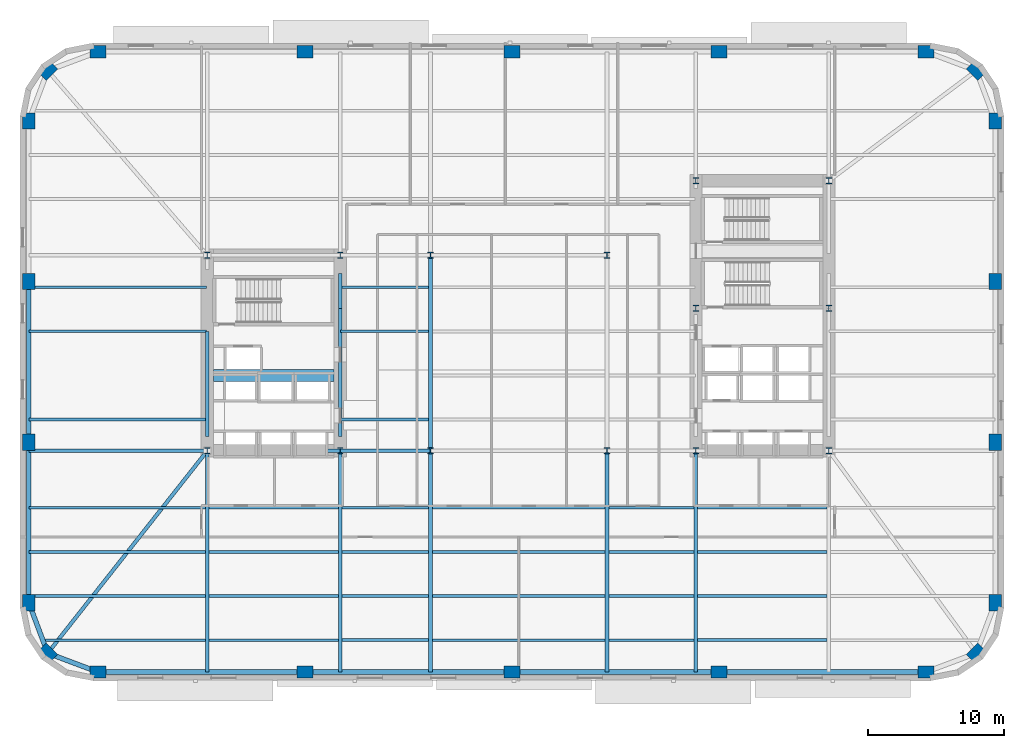
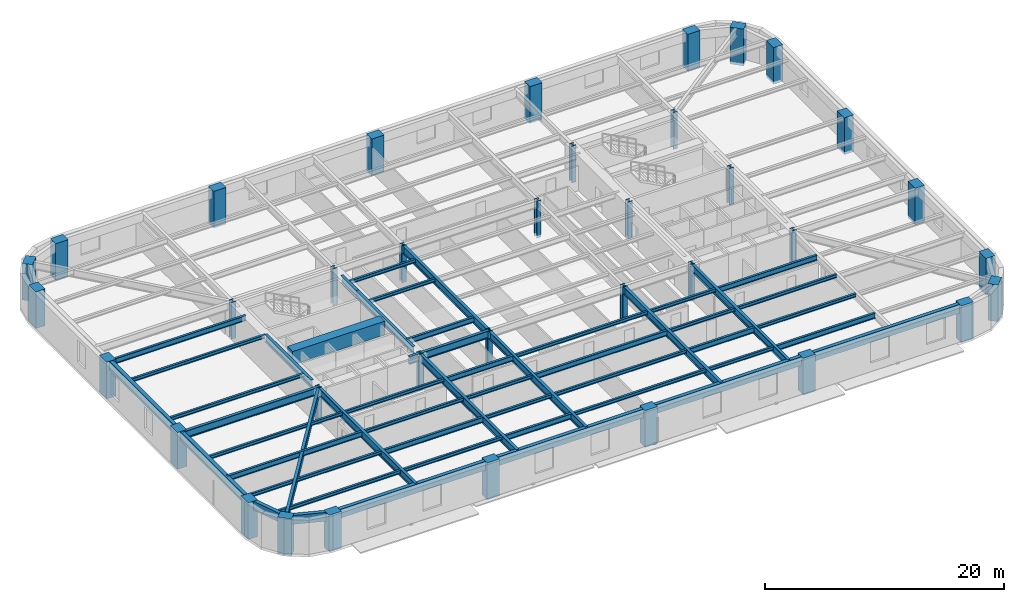
# One storey, part 1 of 14: 51 beams, 36 columns.
"""IFC4 building model written with IfcOpenShell, lengths in metres."""

from ifc_helpers import new_model, si_unit, direction, frame, origin, origin_2d, place, context, subcontext, project, spatial, rectangle, hollow_rectangle, i_section, extrude, material, material_profile, profile_set, type_object, element, save


model = new_model("IFC4")

# Units and contexts
model_context = context("Model", 3, precision=1e-05, world=origin(), true_north=direction((0.0, 1.0)))
body_context = subcontext(model_context, "Body", "Model", "MODEL_VIEW")
ifc_project = project(units=[si_unit("LENGTHUNIT", "METRE"), si_unit("AREAUNIT", "SQUARE_METRE"), si_unit("VOLUMEUNIT", "CUBIC_METRE"), si_unit("PLANEANGLEUNIT", "RADIAN"), si_unit("MASSUNIT", "GRAM", prefix="KILO")], contexts=[model_context])

# Site, building, storey
site_placement = place(None, origin())
site = spatial("IfcSite", under=ifc_project, at=site_placement, CompositionType="ELEMENT")
building_placement = place(site_placement, origin())
building = spatial("IfcBuilding", under=site, at=building_placement, Name="Kolvaren Arena Tower", CompositionType="ELEMENT")
storey_placement = place(building_placement, frame((0.0, 0.0, 75.75)))
storey = spatial("IfcBuildingStorey", under=building, at=storey_placement, Name="L16", CompositionType="ELEMENT", Elevation=75.75)

# Columns
ifc_material_1 = material(Name="Precast concrete C70/85", Category="concrete")
ifc_material_profile_1 = material_profile(ifc_material_1, rectangle(XDim=1.199951171875, YDim=0.89990234375, at=origin_2d()), Name="RC-1200x900")
ifc_profile_set_1 = profile_set([ifc_material_profile_1], Name="Precast concrete C70/85")
column_type_1 = type_object("IfcColumnType", Name="EXCOL-Z1", PredefinedType="COLUMN", material=ifc_profile_set_1)
for number, where, z_axis, x_axis, name in (
    (1, (6.5, 3.14990234375, -0.27001953125), (0.0, 0.0, 1.0), (1.0, 0.0, 0.0), "Exoskeleton Perimeter Column 01 (L16)"),
    (2, (21.75, 3.14990234375, -0.27001953125), (0.0, 0.0, 1.0), (1.0, 0.0, 0.0), "Exoskeleton Perimeter Column 02 (L16)"),
    (3, (37.0, 3.14990234375, -0.27001953125), (0.0, 0.0, 1.0), (1.0, 0.0, 0.0), "Exoskeleton Perimeter Column 03 (L16)"),
    (4, (52.25, 3.14990234375, -0.27001953125), (0.0, 0.0, 1.0), (1.0, 0.0, 0.0), "Exoskeleton Perimeter Column 04 (L16)"),
    (5, (67.5, 3.14990234375, -0.27001953125), (0.0, 0.0, 1.0), (1.0, 0.0, 0.0), "Exoskeleton Perimeter Column 05 (L16)"),
    (6, (71.208740234375, 4.541259765625, -0.27001953125), (0.0, 0.0, 1.0), (0.707106781187, 0.707106781187, 0.0), "Exoskeleton Perimeter Column 06 (L16)"),
    (7, (72.60009765625, 8.25, -0.27001953125), (0.0, 0.0, 1.0), (0.0, 1.0, 0.0), "Exoskeleton Perimeter Column 07 (L16)"),
    (8, (72.60009765625, 20.083251953125, -0.27001953125), (0.0, 0.0, 1.0), (0.0, 1.0, 0.0), "Exoskeleton Perimeter Column 08 (L16)"),
    (9, (72.60009765625, 31.916748046875, -0.27001953125), (0.0, 0.0, 1.0), (0.0, 1.0, 0.0), "Exoskeleton Perimeter Column 09 (L16)"),
    (10, (72.60009765625, 43.75, -0.27001953125), (0.0, 0.0, 1.0), (0.0, 1.0, 0.0), "Exoskeleton Perimeter Column 10 (L16)"),
    (11, (71.208740234375, 47.458740234375, -0.27001953125), (0.0, 0.0, 1.0), (-0.707106781187, 0.707106781187, 0.0), "Exoskeleton Perimeter Column 11 (L16)"),
    (12, (67.5, 48.85009765625, -0.27001953125), (0.0, 0.0, 1.0), (1.0, 0.0, 0.0), "Exoskeleton Perimeter Column 12 (L16)"),
    (13, (52.25, 48.85009765625, -0.27001953125), (0.0, 0.0, 1.0), (1.0, 0.0, 0.0), "Exoskeleton Perimeter Column 13 (L16)"),
    (14, (37.0, 48.85009765625, -0.27001953125), (0.0, 0.0, 1.0), (1.0, 0.0, 0.0), "Exoskeleton Perimeter Column 14 (L16)"),
    (15, (21.75, 48.85009765625, -0.27001953125), (0.0, 0.0, 1.0), (1.0, 0.0, 0.0), "Exoskeleton Perimeter Column 15 (L16)"),
    (16, (6.5, 48.85009765625, -0.27001953125), (0.0, 0.0, 1.0), (1.0, 0.0, 0.0), "Exoskeleton Perimeter Column 16 (L16)"),
    (17, (2.791259765625, 47.458740234375, -0.27001953125), (0.0, 0.0, 1.0), (0.707106781187, 0.707106781187, 0.0), "Exoskeleton Perimeter Column 17 (L16)"),
    (18, (1.39990234375, 43.75, -0.27001953125), (0.0, 0.0, 1.0), (0.0, 1.0, 0.0), "Exoskeleton Perimeter Column 18 (L16)"),
    (19, (1.39990234375, 31.916748046875, -0.27001953125), (0.0, 0.0, 1.0), (0.0, 1.0, 0.0), "Exoskeleton Perimeter Column 19 (L16)"),
    (20, (1.39990234375, 20.083251953125, -0.27001953125), (0.0, 0.0, 1.0), (0.0, 1.0, 0.0), "Exoskeleton Perimeter Column 20 (L16)"),
    (21, (1.39990234375, 8.25, -0.27001953125), (0.0, 0.0, 1.0), (0.0, 1.0, 0.0), "Exoskeleton Perimeter Column 21 (L16)"),
    (22, (2.791259765625, 4.541259765625, -0.27001953125), (0.0, 0.0, 1.0), (-0.707106781187, 0.707106781187, 0.0), "Exoskeleton Perimeter Column 22 (L16)"),
):
    element("IfcColumn", number, at=place(storey_placement, frame(where, z_axis=z_axis, x_axis=x_axis)), inside=storey, type_object=column_type_1, Name=name, PredefinedType="COLUMN", context=body_context, shape_type="SweptSolid", body=[
        extrude(rectangle(XDim=1.199951171875, YDim=0.89990234375, at=origin_2d()), origin(), (0.0, 0.0, 1.0), 3.75),
    ])
ifc_material_2 = material(Name="Steel ASTM A913 Grade 65", Category="steel")
ifc_material_profile_2 = material_profile(ifc_material_2, i_section(OverallWidth=0.424072265625, OverallDepth=0.47412109375, WebThickness=0.047607421875, FlangeThickness=0.076904296875, FilletRadius=0.02001953125, at=origin_2d()), Name="W360x634")
ifc_profile_set_2 = profile_set([ifc_material_profile_2], Name="Steel ASTM A913 Grade 65")
column_type_2 = type_object("IfcColumnType", Name="SCOL-Z1", PredefinedType="COLUMN", material=ifc_profile_set_2)
for number, where, z_axis, x_axis, name in (
    (23, (14.550048828125, 19.449951171875, -0.27001953125), (0.0, 0.0, 1.0), (1.0, 0.0, 0.0), "Core Boundary Column WC-SW (L16)"),
    (24, (24.35009765625, 19.449951171875, -0.27001953125), (0.0, 0.0, 1.0), (1.0, 0.0, 0.0), "Core Boundary Column WC-SE (L16)"),
    (25, (14.550048828125, 33.85009765625, -0.27001953125), (0.0, 0.0, 1.0), (1.0, 0.0, 0.0), "Core Boundary Column WC-NW (L16)"),
    (26, (24.35009765625, 33.85009765625, -0.27001953125), (0.0, 0.0, 1.0), (1.0, 0.0, 0.0), "Core Boundary Column WC-NE (L16)"),
    (27, (50.550048828125, 19.449951171875, -0.27001953125), (0.0, 0.0, 1.0), (1.0, 0.0, 0.0), "Core Boundary Column EC-SW (L16)"),
    (28, (60.35009765625, 19.449951171875, -0.27001953125), (0.0, 0.0, 1.0), (1.0, 0.0, 0.0), "Core Boundary Column EC-SE (L16)"),
    (29, (50.550048828125, 29.949951171875, -0.27001953125), (0.0, 0.0, 1.0), (1.0, 0.0, 0.0), "Core Boundary Column EC-MW (L16)"),
    (30, (60.35009765625, 29.949951171875, -0.27001953125), (0.0, 0.0, 1.0), (1.0, 0.0, 0.0), "Core Boundary Column EC-ME (L16)"),
    (31, (50.550048828125, 39.35009765625, -0.27001953125), (0.0, 0.0, 1.0), (1.0, 0.0, 0.0), "Core Boundary Column EC-NW (L16)"),
    (32, (60.35009765625, 39.35009765625, -0.27001953125), (0.0, 0.0, 1.0), (1.0, 0.0, 0.0), "Core Boundary Column EC-NE (L16)"),
    (33, (31.0, 19.449951171875, -0.27001953125), (0.0, 0.0, 1.0), (1.0, 0.0, 0.0), "Interior Gravity Column TC-SW (L16)"),
    (34, (44.0, 19.449951171875, -0.27001953125), (0.0, 0.0, 1.0), (1.0, 0.0, 0.0), "Interior Gravity Column TC-SE (L16)"),
    (35, (31.0, 33.85009765625, -0.27001953125), (0.0, 0.0, 1.0), (1.0, 0.0, 0.0), "Interior Gravity Column TC-NW (L16)"),
    (36, (44.0, 33.85009765625, -0.27001953125), (0.0, 0.0, 1.0), (1.0, 0.0, 0.0), "Interior Gravity Column TC-NE (L16)"),
):
    element("IfcColumn", number, at=place(storey_placement, frame(where, z_axis=z_axis, x_axis=x_axis)), inside=storey, type_object=column_type_2, Name=name, PredefinedType="COLUMN", context=body_context, shape_type="SweptSolid", body=[
        extrude(i_section(OverallWidth=0.424072265625, OverallDepth=0.47412109375, WebThickness=0.047607421875, FlangeThickness=0.076904296875, FilletRadius=0.02001953125, at=origin_2d()), origin(), (0.0, 0.0, 1.0), 3.75),
    ])

# Beams
ifc_material_3 = material(Name="Steel CSA G40.21 350W", Category="steel")
ifc_material_profile_3 = material_profile(ifc_material_3, i_section(OverallWidth=0.2119140625, OverallDepth=0.54296875, WebThickness=0.01318359375, FlangeThickness=0.0244140625, FilletRadius=0.013916015625, at=origin_2d()), Name="W530x150")
ifc_profile_set_3 = profile_set([ifc_material_profile_3], Name="Steel CSA G40.21 350W")
beam_type_1 = type_object("IfcBeamType", Name="BEAM-F1", PredefinedType="BEAM", material=ifc_profile_set_3)
beam_1_placement = place(storey_placement, frame((24.485107421875, 5.5, 3.20849609375), z_axis=(1.0, 0.0, 0.0), x_axis=(0.0, 1.0, 0.0)))
element("IfcBeam", 37, at=beam_1_placement, inside=storey, type_object=beam_type_1, Name="Composite Floor Beam (L16)", PredefinedType="BEAM", context=body_context, shape_type="SweptSolid", body=[
    extrude(i_section(OverallWidth=0.2119140625, OverallDepth=0.54296875, WebThickness=0.01318359375, FlangeThickness=0.0244140625, FilletRadius=0.013916015625, at=origin_2d()), origin(), (0.0, 0.0, 1.0), 6.3798828125),
])
for number, where, z_axis, x_axis, name in (
    (38, (50.68505859375, 5.5, 3.20849609375), (1.0, 0.0, 0.0), (0.0, 1.0, 0.0), "Composite Floor Beam (L16)"),
    (39, (14.68505859375, 8.75, 3.20849609375), (1.0, 0.0, 0.0), (0.0, 1.0, 0.0), "Composite Floor Beam (L16)"),
):
    element("IfcBeam", number, at=place(storey_placement, frame(where, z_axis=z_axis, x_axis=x_axis)), inside=storey, type_object=beam_type_1, Name=name, PredefinedType="BEAM", context=body_context, shape_type="SweptSolid", body=[
        extrude(i_section(OverallWidth=0.2119140625, OverallDepth=0.54296875, WebThickness=0.01318359375, FlangeThickness=0.0244140625, FilletRadius=0.013916015625, at=origin_2d()), origin(), (0.0, 0.0, 1.0), 9.530029296875),
    ])
beam_2_placement = place(storey_placement, frame((44.135009765625, 8.75, 3.20849609375), z_axis=(1.0, 0.0, 0.0), x_axis=(0.0, 1.0, 0.0)))
element("IfcBeam", 40, at=beam_2_placement, inside=storey, type_object=beam_type_1, Name="Composite Floor Beam (L16)", PredefinedType="BEAM", context=body_context, shape_type="SweptSolid", body=[
    extrude(i_section(OverallWidth=0.2119140625, OverallDepth=0.54296875, WebThickness=0.01318359375, FlangeThickness=0.0244140625, FilletRadius=0.013916015625, at=origin_2d()), origin(), (0.0, 0.0, 1.0), 6.280029296875),
])
beam_3_placement = place(storey_placement, frame((1.39990234375, 12.0, 3.20849609375), z_axis=(1.0, 0.0, 0.0), x_axis=(0.0, 1.0, 0.0)))
element("IfcBeam", 41, at=beam_3_placement, inside=storey, type_object=beam_type_1, Name="Composite Floor Beam (L16)", PredefinedType="BEAM", context=body_context, shape_type="SweptSolid", body=[
    extrude(i_section(OverallWidth=0.2119140625, OverallDepth=0.54296875, WebThickness=0.01318359375, FlangeThickness=0.0244140625, FilletRadius=0.013916015625, at=origin_2d()), origin(), (0.0, 0.0, 1.0), 13.01513671875),
])
beam_4_placement = place(storey_placement, frame((31.135009765625, 12.0, 3.20849609375), z_axis=(1.0, 0.0, 0.0), x_axis=(0.0, 1.0, 0.0)))
element("IfcBeam", 42, at=beam_4_placement, inside=storey, type_object=beam_type_1, Name="Composite Floor Beam (L16)", PredefinedType="BEAM", context=body_context, shape_type="SweptSolid", body=[
    extrude(i_section(OverallWidth=0.2119140625, OverallDepth=0.54296875, WebThickness=0.01318359375, FlangeThickness=0.0244140625, FilletRadius=0.013916015625, at=origin_2d()), origin(), (0.0, 0.0, 1.0), 12.72998046875),
])
beam_5_placement = place(storey_placement, frame((24.485107421875, 15.25, 3.20849609375), z_axis=(1.0, 0.0, 0.0), x_axis=(0.0, 1.0, 0.0)))
element("IfcBeam", 43, at=beam_5_placement, inside=storey, type_object=beam_type_1, Name="Composite Floor Beam (L16)", PredefinedType="BEAM", context=body_context, shape_type="SweptSolid", body=[
    extrude(i_section(OverallWidth=0.2119140625, OverallDepth=0.54296875, WebThickness=0.01318359375, FlangeThickness=0.0244140625, FilletRadius=0.013916015625, at=origin_2d()), origin(), (0.0, 0.0, 1.0), 6.3798828125),
])
beam_6_placement = place(storey_placement, frame((50.68505859375, 15.25, 3.20849609375), z_axis=(1.0, 0.0, 0.0), x_axis=(0.0, 1.0, 0.0)))
element("IfcBeam", 44, at=beam_6_placement, inside=storey, type_object=beam_type_1, Name="Composite Floor Beam (L16)", PredefinedType="BEAM", context=body_context, shape_type="SweptSolid", body=[
    extrude(i_section(OverallWidth=0.2119140625, OverallDepth=0.54296875, WebThickness=0.01318359375, FlangeThickness=0.0244140625, FilletRadius=0.013916015625, at=origin_2d()), origin(), (0.0, 0.0, 1.0), 9.530029296875),
])
beam_7_placement = place(storey_placement, frame((24.3701171875, 21.75, 3.20849609375), z_axis=(1.0, 0.0, 0.0), x_axis=(0.0, 1.0, 0.0)))
element("IfcBeam", 45, at=beam_7_placement, inside=storey, type_object=beam_type_1, Name="Composite Floor Beam (L16)", PredefinedType="BEAM", context=body_context, shape_type="SweptSolid", body=[
    extrude(i_section(OverallWidth=0.2119140625, OverallDepth=0.54296875, WebThickness=0.01318359375, FlangeThickness=0.0244140625, FilletRadius=0.013916015625, at=origin_2d()), origin(), (0.0, 0.0, 1.0), 6.494873046875),
])
beam_8_placement = place(storey_placement, frame((1.39990234375, 31.5, 3.20849609375), z_axis=(1.0, 0.0, 0.0), x_axis=(0.0, 1.0, 0.0)))
element("IfcBeam", 46, at=beam_8_placement, inside=storey, type_object=beam_type_1, Name="Composite Floor Beam (L16)", PredefinedType="BEAM", context=body_context, shape_type="SweptSolid", body=[
    extrude(i_section(OverallWidth=0.2119140625, OverallDepth=0.54296875, WebThickness=0.01318359375, FlangeThickness=0.0244140625, FilletRadius=0.013916015625, at=origin_2d()), origin(), (0.0, 0.0, 1.0), 13.080078125),
])
ifc_material_4 = material(Name="Concrete 75 MPa", Category="concrete")
ifc_material_profile_4 = material_profile(ifc_material_4, rectangle(XDim=0.89990234375, YDim=1.39990234375, at=origin_2d()), Name="RC-900x1400")
ifc_profile_set_4 = profile_set([ifc_material_profile_4], Name="Concrete 75 MPa")
beam_type_2 = type_object("IfcBeamType", Name="CB-CORE-1", PredefinedType="BEAM", material=ifc_profile_set_4)
beam_9_placement = place(storey_placement, frame((15.0, 25.0, 3.050048828125), z_axis=(1.0, 0.0, 0.0), x_axis=(0.0, 1.0, 0.0)))
element("IfcBeam", 47, at=beam_9_placement, inside=storey, type_object=beam_type_2, Name="West Core Coupling Beam (L16)", PredefinedType="BEAM", context=body_context, shape_type="SweptSolid", body=[
    extrude(rectangle(XDim=0.89990234375, YDim=1.39990234375, at=origin_2d()), origin(), (0.0, 0.0, 1.0), 8.89990234375),
])
ifc_material_profile_5 = material_profile(ifc_material_3, i_section(OverallWidth=0.27001953125, OverallDepth=0.77294921875, WebThickness=0.019287109375, FlangeThickness=0.033447265625, FilletRadius=0.01806640625, at=origin_2d()), Name="W760x257")
ifc_profile_set_5 = profile_set([ifc_material_profile_5], Name="Steel CSA G40.21 350W")
beam_type_3 = type_object("IfcBeamType", Name="GIRD-T1", PredefinedType="BEAM", material=ifc_profile_set_5)
beam_10_placement = place(storey_placement, frame((2.791259765625, 4.541259765625, 3.093505859375), z_axis=(0.61927986086, 0.785170334343, 0.0), x_axis=(-0.785170334343, 0.61927986086, 0.0)))
element("IfcBeam", 48, at=beam_10_placement, inside=storey, type_object=beam_type_3, Name="Corner Diagonal Tie Girder (L16)", PredefinedType="BEAM", context=body_context, shape_type="SweptSolid", body=[
    extrude(i_section(OverallWidth=0.27001953125, OverallDepth=0.77294921875, WebThickness=0.019287109375, FlangeThickness=0.033447265625, FilletRadius=0.01806640625, at=origin_2d()), origin(), (0.0, 0.0, 1.0), 18.98779296875),
])
beam_11_placement = place(storey_placement, frame((1.39990234375, 19.449951171875, 3.093505859375), z_axis=(1.0, 0.0, 0.0), x_axis=(0.0, 1.0, 0.0)))
element("IfcBeam", 49, at=beam_11_placement, inside=storey, type_object=beam_type_3, Name="Primary Floor Girder (L16)", PredefinedType="BEAM", context=body_context, shape_type="SweptSolid", body=[
    extrude(i_section(OverallWidth=0.27001953125, OverallDepth=0.77294921875, WebThickness=0.019287109375, FlangeThickness=0.033447265625, FilletRadius=0.01806640625, at=origin_2d()), origin(), (0.0, 0.0, 1.0), 13.150146484375),
])
beam_12_placement = place(storey_placement, frame((23.2451171875, 19.449951171875, 3.093505859375), z_axis=(1.0, 0.0, 0.0), x_axis=(0.0, 1.0, 0.0)))
element("IfcBeam", 50, at=beam_12_placement, inside=storey, type_object=beam_type_3, Name="Primary Floor Girder (L16)", PredefinedType="BEAM", context=body_context, shape_type="SweptSolid", body=[
    extrude(i_section(OverallWidth=0.27001953125, OverallDepth=0.77294921875, WebThickness=0.019287109375, FlangeThickness=0.033447265625, FilletRadius=0.01806640625, at=origin_2d()), origin(), (0.0, 0.0, 1.0), 7.7548828125),
])
beam_13_placement = place(storey_placement, frame((14.550048828125, 3.14990234375, 3.093505859375), z_axis=(0.0, 1.0, 0.0), x_axis=(-1.0, 0.0, 0.0)))
element("IfcBeam", 51, at=beam_13_placement, inside=storey, type_object=beam_type_3, Name="Primary Floor Girder (L16)", PredefinedType="BEAM", context=body_context, shape_type="SweptSolid", body=[
    extrude(i_section(OverallWidth=0.27001953125, OverallDepth=0.77294921875, WebThickness=0.019287109375, FlangeThickness=0.033447265625, FilletRadius=0.01806640625, at=origin_2d()), origin(), (0.0, 0.0, 1.0), 16.300048828125),
])
beam_14_placement = place(storey_placement, frame((14.550048828125, 20.5, 3.093505859375), z_axis=(0.0, 1.0, 0.0), x_axis=(-1.0, 0.0, 0.0)))
element("IfcBeam", 52, at=beam_14_placement, inside=storey, type_object=beam_type_3, Name="Primary Floor Girder (L16)", PredefinedType="BEAM", context=body_context, shape_type="SweptSolid", body=[
    extrude(i_section(OverallWidth=0.27001953125, OverallDepth=0.77294921875, WebThickness=0.019287109375, FlangeThickness=0.033447265625, FilletRadius=0.01806640625, at=origin_2d()), origin(), (0.0, 0.0, 1.0), 7.739990234375),
])
beam_15_placement = place(storey_placement, frame((24.35009765625, 3.14990234375, 3.093505859375), z_axis=(0.0, 1.0, 0.0), x_axis=(-1.0, 0.0, 0.0)))
element("IfcBeam", 53, at=beam_15_placement, inside=storey, type_object=beam_type_3, Name="Primary Floor Girder (L16)", PredefinedType="BEAM", context=body_context, shape_type="SweptSolid", body=[
    extrude(i_section(OverallWidth=0.27001953125, OverallDepth=0.77294921875, WebThickness=0.019287109375, FlangeThickness=0.033447265625, FilletRadius=0.01806640625, at=origin_2d()), origin(), (0.0, 0.0, 1.0), 16.300048828125),
])
beam_16_placement = place(storey_placement, frame((24.35009765625, 20.5, 3.093505859375), z_axis=(0.0, 1.0, 0.0), x_axis=(-1.0, 0.0, 0.0)))
element("IfcBeam", 54, at=beam_16_placement, inside=storey, type_object=beam_type_3, Name="Primary Floor Girder (L16)", PredefinedType="BEAM", context=body_context, shape_type="SweptSolid", body=[
    extrude(i_section(OverallWidth=0.27001953125, OverallDepth=0.77294921875, WebThickness=0.019287109375, FlangeThickness=0.033447265625, FilletRadius=0.01806640625, at=origin_2d()), origin(), (0.0, 0.0, 1.0), 9.449951171875),
])
beam_17_placement = place(storey_placement, frame((24.35009765625, 29.949951171875, 3.093505859375), z_axis=(0.0, 1.0, 0.0), x_axis=(-1.0, 0.0, 0.0)))
element("IfcBeam", 55, at=beam_17_placement, inside=storey, type_object=beam_type_3, Name="Primary Floor Girder (L16)", PredefinedType="BEAM", context=body_context, shape_type="SweptSolid", body=[
    extrude(i_section(OverallWidth=0.27001953125, OverallDepth=0.77294921875, WebThickness=0.019287109375, FlangeThickness=0.033447265625, FilletRadius=0.01806640625, at=origin_2d()), origin(), (0.0, 0.0, 1.0), 2.550048828125),
])
beam_18_placement = place(storey_placement, frame((31.0, 3.14990234375, 3.093505859375), z_axis=(0.0, 1.0, 0.0), x_axis=(-1.0, 0.0, 0.0)))
element("IfcBeam", 56, at=beam_18_placement, inside=storey, type_object=beam_type_3, Name="Primary Floor Girder (L16)", PredefinedType="BEAM", context=body_context, shape_type="SweptSolid", body=[
    extrude(i_section(OverallWidth=0.27001953125, OverallDepth=0.77294921875, WebThickness=0.019287109375, FlangeThickness=0.033447265625, FilletRadius=0.01806640625, at=origin_2d()), origin(), (0.0, 0.0, 1.0), 16.300048828125),
])
beam_19_placement = place(storey_placement, frame((31.0, 19.449951171875, 3.093505859375), z_axis=(0.0, 1.0, 0.0), x_axis=(-1.0, 0.0, 0.0)))
element("IfcBeam", 57, at=beam_19_placement, inside=storey, type_object=beam_type_3, Name="Primary Floor Girder (L16)", PredefinedType="BEAM", context=body_context, shape_type="SweptSolid", body=[
    extrude(i_section(OverallWidth=0.27001953125, OverallDepth=0.77294921875, WebThickness=0.019287109375, FlangeThickness=0.033447265625, FilletRadius=0.01806640625, at=origin_2d()), origin(), (0.0, 0.0, 1.0), 14.400146484375),
])
for number, where, z_axis, x_axis, name in (
    (58, (44.0, 3.14990234375, 3.093505859375), (0.0, 1.0, 0.0), (-1.0, 0.0, 0.0), "Primary Floor Girder (L16)"),
    (59, (50.550048828125, 3.14990234375, 3.093505859375), (0.0, 1.0, 0.0), (-1.0, 0.0, 0.0), "Primary Floor Girder (L16)"),
):
    element("IfcBeam", number, at=place(storey_placement, frame(where, z_axis=z_axis, x_axis=x_axis)), inside=storey, type_object=beam_type_3, Name=name, PredefinedType="BEAM", context=body_context, shape_type="SweptSolid", body=[
        extrude(i_section(OverallWidth=0.27001953125, OverallDepth=0.77294921875, WebThickness=0.019287109375, FlangeThickness=0.033447265625, FilletRadius=0.01806640625, at=origin_2d()), origin(), (0.0, 0.0, 1.0), 16.300048828125),
    ])
ifc_material_profile_6 = material_profile(ifc_material_3, i_section(OverallWidth=0.202880859375, OverallDepth=0.346923828125, WebThickness=0.0078125, FlangeThickness=0.013427734375, FilletRadius=0.010986328125, at=origin_2d()), Name="W360x64")
ifc_profile_set_6 = profile_set([ifc_material_profile_6], Name="Steel CSA G40.21 350W")
beam_type_4 = type_object("IfcBeamType", Name="JOIST-01", PredefinedType="JOIST", material=ifc_profile_set_6)
beam_20_placement = place(storey_placement, frame((2.431396484375, 5.5, 3.306396484375), z_axis=(1.0, 0.0, 0.0), x_axis=(0.0, 1.0, 0.0)))
element("IfcBeam", 60, at=beam_20_placement, inside=storey, type_object=beam_type_4, Name="Composite Floor Joist (L16)", PredefinedType="JOIST", context=body_context, shape_type="SweptSolid", body=[
    extrude(i_section(OverallWidth=0.202880859375, OverallDepth=0.346923828125, WebThickness=0.0078125, FlangeThickness=0.013427734375, FilletRadius=0.010986328125, at=origin_2d()), origin(), (0.0, 0.0, 1.0), 11.983642578125),
])
beam_21_placement = place(storey_placement, frame((14.68505859375, 5.5, 3.306396484375), z_axis=(1.0, 0.0, 0.0), x_axis=(0.0, 1.0, 0.0)))
element("IfcBeam", 61, at=beam_21_placement, inside=storey, type_object=beam_type_4, Name="Composite Floor Joist (L16)", PredefinedType="JOIST", context=body_context, shape_type="SweptSolid", body=[
    extrude(i_section(OverallWidth=0.202880859375, OverallDepth=0.346923828125, WebThickness=0.0078125, FlangeThickness=0.013427734375, FilletRadius=0.010986328125, at=origin_2d()), origin(), (0.0, 0.0, 1.0), 9.530029296875),
])
beam_22_placement = place(storey_placement, frame((31.135009765625, 5.5, 3.306396484375), z_axis=(1.0, 0.0, 0.0), x_axis=(0.0, 1.0, 0.0)))
element("IfcBeam", 62, at=beam_22_placement, inside=storey, type_object=beam_type_4, Name="Composite Floor Joist (L16)", PredefinedType="JOIST", context=body_context, shape_type="SweptSolid", body=[
    extrude(i_section(OverallWidth=0.202880859375, OverallDepth=0.346923828125, WebThickness=0.0078125, FlangeThickness=0.013427734375, FilletRadius=0.010986328125, at=origin_2d()), origin(), (0.0, 0.0, 1.0), 12.72998046875),
])
beam_23_placement = place(storey_placement, frame((44.135009765625, 5.5, 3.306396484375), z_axis=(1.0, 0.0, 0.0), x_axis=(0.0, 1.0, 0.0)))
element("IfcBeam", 63, at=beam_23_placement, inside=storey, type_object=beam_type_4, Name="Composite Floor Joist (L16)", PredefinedType="JOIST", context=body_context, shape_type="SweptSolid", body=[
    extrude(i_section(OverallWidth=0.202880859375, OverallDepth=0.346923828125, WebThickness=0.0078125, FlangeThickness=0.013427734375, FilletRadius=0.010986328125, at=origin_2d()), origin(), (0.0, 0.0, 1.0), 6.280029296875),
])
beam_24_placement = place(storey_placement, frame((1.39990234375, 8.75, 3.306396484375), z_axis=(1.0, 0.0, 0.0), x_axis=(0.0, 1.0, 0.0)))
element("IfcBeam", 64, at=beam_24_placement, inside=storey, type_object=beam_type_4, Name="Composite Floor Joist (L16)", PredefinedType="JOIST", context=body_context, shape_type="SweptSolid", body=[
    extrude(i_section(OverallWidth=0.202880859375, OverallDepth=0.346923828125, WebThickness=0.0078125, FlangeThickness=0.013427734375, FilletRadius=0.010986328125, at=origin_2d()), origin(), (0.0, 0.0, 1.0), 13.01513671875),
])
beam_25_placement = place(storey_placement, frame((24.485107421875, 8.75, 3.306396484375), z_axis=(1.0, 0.0, 0.0), x_axis=(0.0, 1.0, 0.0)))
element("IfcBeam", 65, at=beam_25_placement, inside=storey, type_object=beam_type_4, Name="Composite Floor Joist (L16)", PredefinedType="JOIST", context=body_context, shape_type="SweptSolid", body=[
    extrude(i_section(OverallWidth=0.202880859375, OverallDepth=0.346923828125, WebThickness=0.0078125, FlangeThickness=0.013427734375, FilletRadius=0.010986328125, at=origin_2d()), origin(), (0.0, 0.0, 1.0), 6.3798828125),
])
beam_26_placement = place(storey_placement, frame((31.135009765625, 8.75, 3.306396484375), z_axis=(1.0, 0.0, 0.0), x_axis=(0.0, 1.0, 0.0)))
element("IfcBeam", 66, at=beam_26_placement, inside=storey, type_object=beam_type_4, Name="Composite Floor Joist (L16)", PredefinedType="JOIST", context=body_context, shape_type="SweptSolid", body=[
    extrude(i_section(OverallWidth=0.202880859375, OverallDepth=0.346923828125, WebThickness=0.0078125, FlangeThickness=0.013427734375, FilletRadius=0.010986328125, at=origin_2d()), origin(), (0.0, 0.0, 1.0), 12.72998046875),
])
for number, where, z_axis, x_axis, name in (
    (67, (50.68505859375, 8.75, 3.306396484375), (1.0, 0.0, 0.0), (0.0, 1.0, 0.0), "Composite Floor Joist (L16)"),
    (68, (14.68505859375, 12.0, 3.306396484375), (1.0, 0.0, 0.0), (0.0, 1.0, 0.0), "Composite Floor Joist (L16)"),
):
    element("IfcBeam", number, at=place(storey_placement, frame(where, z_axis=z_axis, x_axis=x_axis)), inside=storey, type_object=beam_type_4, Name=name, PredefinedType="JOIST", context=body_context, shape_type="SweptSolid", body=[
        extrude(i_section(OverallWidth=0.202880859375, OverallDepth=0.346923828125, WebThickness=0.0078125, FlangeThickness=0.013427734375, FilletRadius=0.010986328125, at=origin_2d()), origin(), (0.0, 0.0, 1.0), 9.530029296875),
    ])
beam_27_placement = place(storey_placement, frame((24.485107421875, 12.0, 3.306396484375), z_axis=(1.0, 0.0, 0.0), x_axis=(0.0, 1.0, 0.0)))
element("IfcBeam", 69, at=beam_27_placement, inside=storey, type_object=beam_type_4, Name="Composite Floor Joist (L16)", PredefinedType="JOIST", context=body_context, shape_type="SweptSolid", body=[
    extrude(i_section(OverallWidth=0.202880859375, OverallDepth=0.346923828125, WebThickness=0.0078125, FlangeThickness=0.013427734375, FilletRadius=0.010986328125, at=origin_2d()), origin(), (0.0, 0.0, 1.0), 6.3798828125),
])
beam_28_placement = place(storey_placement, frame((44.135009765625, 12.0, 3.306396484375), z_axis=(1.0, 0.0, 0.0), x_axis=(0.0, 1.0, 0.0)))
element("IfcBeam", 70, at=beam_28_placement, inside=storey, type_object=beam_type_4, Name="Composite Floor Joist (L16)", PredefinedType="JOIST", context=body_context, shape_type="SweptSolid", body=[
    extrude(i_section(OverallWidth=0.202880859375, OverallDepth=0.346923828125, WebThickness=0.0078125, FlangeThickness=0.013427734375, FilletRadius=0.010986328125, at=origin_2d()), origin(), (0.0, 0.0, 1.0), 6.280029296875),
])
beam_29_placement = place(storey_placement, frame((50.68505859375, 12.0, 3.306396484375), z_axis=(1.0, 0.0, 0.0), x_axis=(0.0, 1.0, 0.0)))
element("IfcBeam", 71, at=beam_29_placement, inside=storey, type_object=beam_type_4, Name="Composite Floor Joist (L16)", PredefinedType="JOIST", context=body_context, shape_type="SweptSolid", body=[
    extrude(i_section(OverallWidth=0.202880859375, OverallDepth=0.346923828125, WebThickness=0.0078125, FlangeThickness=0.013427734375, FilletRadius=0.010986328125, at=origin_2d()), origin(), (0.0, 0.0, 1.0), 9.530029296875),
])
beam_30_placement = place(storey_placement, frame((1.39990234375, 15.25, 3.306396484375), z_axis=(1.0, 0.0, 0.0), x_axis=(0.0, 1.0, 0.0)))
element("IfcBeam", 72, at=beam_30_placement, inside=storey, type_object=beam_type_4, Name="Composite Floor Joist (L16)", PredefinedType="JOIST", context=body_context, shape_type="SweptSolid", body=[
    extrude(i_section(OverallWidth=0.202880859375, OverallDepth=0.346923828125, WebThickness=0.0078125, FlangeThickness=0.013427734375, FilletRadius=0.010986328125, at=origin_2d()), origin(), (0.0, 0.0, 1.0), 13.01513671875),
])
beam_31_placement = place(storey_placement, frame((14.68505859375, 15.25, 3.306396484375), z_axis=(1.0, 0.0, 0.0), x_axis=(0.0, 1.0, 0.0)))
element("IfcBeam", 73, at=beam_31_placement, inside=storey, type_object=beam_type_4, Name="Composite Floor Joist (L16)", PredefinedType="JOIST", context=body_context, shape_type="SweptSolid", body=[
    extrude(i_section(OverallWidth=0.202880859375, OverallDepth=0.346923828125, WebThickness=0.0078125, FlangeThickness=0.013427734375, FilletRadius=0.010986328125, at=origin_2d()), origin(), (0.0, 0.0, 1.0), 9.530029296875),
])
beam_32_placement = place(storey_placement, frame((31.135009765625, 15.25, 3.306396484375), z_axis=(1.0, 0.0, 0.0), x_axis=(0.0, 1.0, 0.0)))
element("IfcBeam", 74, at=beam_32_placement, inside=storey, type_object=beam_type_4, Name="Composite Floor Joist (L16)", PredefinedType="JOIST", context=body_context, shape_type="SweptSolid", body=[
    extrude(i_section(OverallWidth=0.202880859375, OverallDepth=0.346923828125, WebThickness=0.0078125, FlangeThickness=0.013427734375, FilletRadius=0.010986328125, at=origin_2d()), origin(), (0.0, 0.0, 1.0), 12.72998046875),
])
beam_33_placement = place(storey_placement, frame((44.135009765625, 15.25, 3.306396484375), z_axis=(1.0, 0.0, 0.0), x_axis=(0.0, 1.0, 0.0)))
element("IfcBeam", 75, at=beam_33_placement, inside=storey, type_object=beam_type_4, Name="Composite Floor Joist (L16)", PredefinedType="JOIST", context=body_context, shape_type="SweptSolid", body=[
    extrude(i_section(OverallWidth=0.202880859375, OverallDepth=0.346923828125, WebThickness=0.0078125, FlangeThickness=0.013427734375, FilletRadius=0.010986328125, at=origin_2d()), origin(), (0.0, 0.0, 1.0), 6.280029296875),
])
beam_34_placement = place(storey_placement, frame((1.39990234375, 21.75, 3.306396484375), z_axis=(1.0, 0.0, 0.0), x_axis=(0.0, 1.0, 0.0)))
element("IfcBeam", 76, at=beam_34_placement, inside=storey, type_object=beam_type_4, Name="Composite Floor Joist (L16)", PredefinedType="JOIST", context=body_context, shape_type="SweptSolid", body=[
    extrude(i_section(OverallWidth=0.202880859375, OverallDepth=0.346923828125, WebThickness=0.0078125, FlangeThickness=0.013427734375, FilletRadius=0.010986328125, at=origin_2d()), origin(), (0.0, 0.0, 1.0), 13.130126953125),
])
beam_35_placement = place(storey_placement, frame((1.39990234375, 28.25, 3.306396484375), z_axis=(1.0, 0.0, 0.0), x_axis=(0.0, 1.0, 0.0)))
element("IfcBeam", 77, at=beam_35_placement, inside=storey, type_object=beam_type_4, Name="Composite Floor Joist (L16)", PredefinedType="JOIST", context=body_context, shape_type="SweptSolid", body=[
    extrude(i_section(OverallWidth=0.202880859375, OverallDepth=0.346923828125, WebThickness=0.0078125, FlangeThickness=0.013427734375, FilletRadius=0.010986328125, at=origin_2d()), origin(), (0.0, 0.0, 1.0), 13.080078125),
])
for number, where, z_axis, x_axis, name in (
    (78, (24.3701171875, 28.25, 3.306396484375), (1.0, 0.0, 0.0), (0.0, 1.0, 0.0), "Composite Floor Joist (L16)"),
    (79, (24.3701171875, 31.5, 3.306396484375), (1.0, 0.0, 0.0), (0.0, 1.0, 0.0), "Composite Floor Joist (L16)"),
):
    element("IfcBeam", number, at=place(storey_placement, frame(where, z_axis=z_axis, x_axis=x_axis)), inside=storey, type_object=beam_type_4, Name=name, PredefinedType="JOIST", context=body_context, shape_type="SweptSolid", body=[
        extrude(i_section(OverallWidth=0.202880859375, OverallDepth=0.346923828125, WebThickness=0.0078125, FlangeThickness=0.013427734375, FilletRadius=0.010986328125, at=origin_2d()), origin(), (0.0, 0.0, 1.0), 6.494873046875),
    ])
ifc_material_5 = material(Name="Steel CSA G40.21 350WT", Category="steel")
ifc_material_profile_7 = material_profile(ifc_material_5, hollow_rectangle(XDim=0.35009765625, YDim=0.89990234375, WallThickness=0.02001953125, at=origin_2d()), Name="HSS 900x350x20")
ifc_profile_set_7 = profile_set([ifc_material_profile_7], Name="Steel CSA G40.21 350WT")
beam_type_5 = type_object("IfcBeamType", Name="SPAND-01", PredefinedType="SPANDREL", material=ifc_profile_set_7)
for number, where, z_axis, x_axis, name in (
    (80, (6.5, 3.14990234375, 3.030029296875), (1.0, 0.0, 0.0), (0.0, 1.0, 0.0), "Perimeter Spandrel Beam (L16)"),
    (81, (21.75, 3.14990234375, 3.030029296875), (1.0, 0.0, 0.0), (0.0, 1.0, 0.0), "Perimeter Spandrel Beam (L16)"),
    (82, (37.0, 3.14990234375, 3.030029296875), (1.0, 0.0, 0.0), (0.0, 1.0, 0.0), "Perimeter Spandrel Beam (L16)"),
    (83, (52.25, 3.14990234375, 3.030029296875), (1.0, 0.0, 0.0), (0.0, 1.0, 0.0), "Perimeter Spandrel Beam (L16)"),
):
    element("IfcBeam", number, at=place(storey_placement, frame(where, z_axis=z_axis, x_axis=x_axis)), inside=storey, type_object=beam_type_5, Name=name, PredefinedType="SPANDREL", context=body_context, shape_type="SweptSolid", body=[
        extrude(hollow_rectangle(XDim=0.35009765625, YDim=0.89990234375, WallThickness=0.02001953125, at=origin_2d()), origin(), (0.0, 0.0, 1.0), 15.25),
    ])
beam_36_placement = place(storey_placement, frame((1.39990234375, 31.916748046875, 3.030029296875), z_axis=(0.0, -1.0, 0.0), x_axis=(1.0, 0.0, 0.0)))
element("IfcBeam", 84, at=beam_36_placement, inside=storey, type_object=beam_type_5, Name="Perimeter Spandrel Beam (L16)", PredefinedType="SPANDREL", context=body_context, shape_type="SweptSolid", body=[
    extrude(hollow_rectangle(XDim=0.35009765625, YDim=0.89990234375, WallThickness=0.02001953125, at=origin_2d()), origin(), (0.0, 0.0, 1.0), 11.83349609375),
])
beam_37_placement = place(storey_placement, frame((1.39990234375, 20.083251953125, 3.030029296875), z_axis=(0.0, -1.0, 0.0), x_axis=(1.0, 0.0, 0.0)))
element("IfcBeam", 85, at=beam_37_placement, inside=storey, type_object=beam_type_5, Name="Perimeter Spandrel Beam (L16)", PredefinedType="SPANDREL", context=body_context, shape_type="SweptSolid", body=[
    extrude(hollow_rectangle(XDim=0.35009765625, YDim=0.89990234375, WallThickness=0.02001953125, at=origin_2d()), origin(), (0.0, 0.0, 1.0), 11.833251953125),
])
for number, where, z_axis, x_axis, name in (
    (86, (1.39990234375, 8.25, 3.030029296875), (0.351251771955, -0.93628104365, 0.0), (0.93628104365, 0.351251771955, 0.0), "Perimeter Spandrel Beam (L16)"),
    (87, (2.791259765625, 4.541259765625, 3.030029296875), (0.93628104365, -0.351251771955, 0.0), (0.351251771955, 0.93628104365, 0.0), "Perimeter Spandrel Beam (L16)"),
):
    element("IfcBeam", number, at=place(storey_placement, frame(where, z_axis=z_axis, x_axis=x_axis)), inside=storey, type_object=beam_type_5, Name=name, PredefinedType="SPANDREL", context=body_context, shape_type="SweptSolid", body=[
        extrude(hollow_rectangle(XDim=0.35009765625, YDim=0.89990234375, WallThickness=0.02001953125, at=origin_2d()), origin(), (0.0, 0.0, 1.0), 3.961181640625),
    ])

save(model, "model.ifc")
